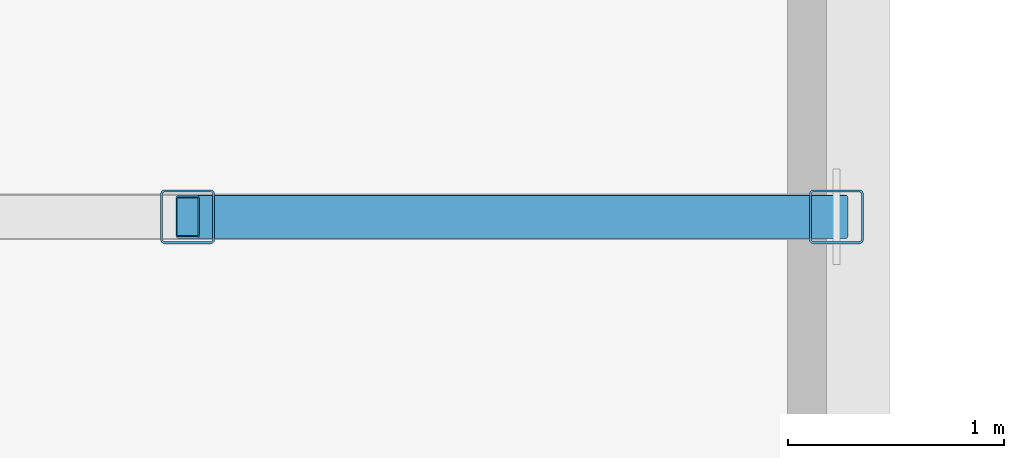
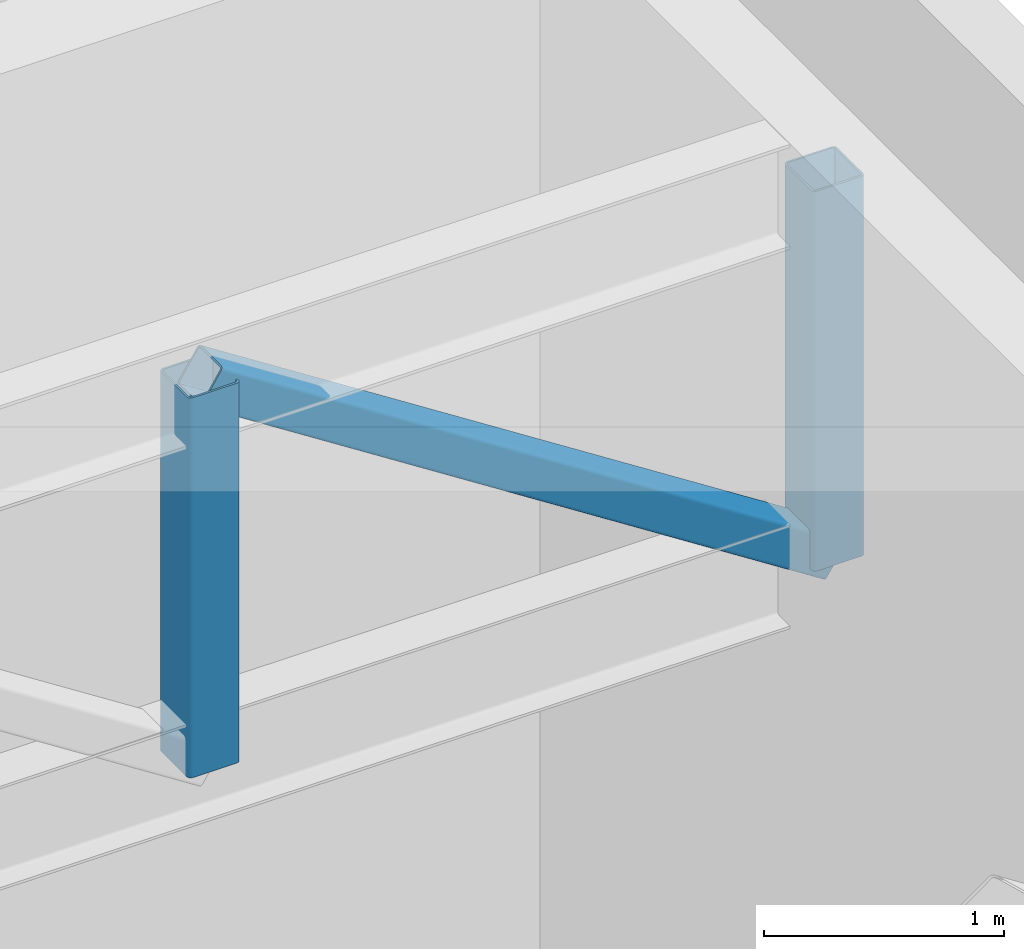
# One storey, part 15 of 25: 3 members.
"""IFC4 building model written with IfcOpenShell, lengths in metres."""

import ifcopenshell
import ifcopenshell.guid

model = None  # the IFC model being written
_history = None  # IfcOwnerHistory: only IFC2X3 demands one
_inside = {}  # id of a spatial element -> (the spatial element, [elements in it])
_under = {}  # id of a project, library or spatial element -> (it, [spatial elements below it])
_declared = {}  # id of a project -> (the project, [libraries it declares])
_typed = {}  # id of a type object -> (the type object, [elements of that type])
_made_of = {}  # id of a material, layer set ... -> (it, [elements and type objects made of it])


def new_model(schema):
    """Start an empty IFC model of exactly this schema.

    Asked for "IFC4X3", IfcOpenShell would pick the latest addendum, in which some entities
    have other attributes; the version numbers below select the first issue.
    IFC2X3 requires an IfcOwnerHistory on every rooted entity: one is made here for all.
    """
    global model, _history
    if schema == "IFC4X3":
        model = ifcopenshell.file(schema_version=(4, 3, 0, 0))
    else:
        model = ifcopenshell.file(schema=schema)
    _inside.clear()
    _under.clear()
    _declared.clear()
    _typed.clear()
    _made_of.clear()
    _history = None
    if model.schema == "IFC2X3":
        org = make("IfcOrganization", Name="unknown")
        user = make(
            "IfcPersonAndOrganization",
            ThePerson=make("IfcPerson", FamilyName="unknown"),
            TheOrganization=org,
        )
        app = make(
            "IfcApplication",
            ApplicationDeveloper=org,
            Version="unknown",
            ApplicationFullName="unknown",
            ApplicationIdentifier="unknown",
        )
        _history = make(
            "IfcOwnerHistory",
            OwningUser=user,
            OwningApplication=app,
            ChangeAction="ADDED",
            CreationDate=0,
        )
    return model


def make(cls, **values):
    """One entity of the class cls with the attributes given. An attribute that is None is left unset."""
    return model.create_entity(
        cls, **{name: value for name, value in values.items() if value is not None}
    )


def rooted(cls, **values):
    """An entity with a GlobalId (a new one), such as an element, a storey or a relation."""
    return make(cls, GlobalId=ifcopenshell.guid.new(), OwnerHistory=_history, **values)


def si_unit(unit_type, name, prefix=None):
    """IfcSIUnit, for example si_unit("LENGTHUNIT", "METRE", prefix="MILLI")."""
    return make("IfcSIUnit", UnitType=unit_type, Prefix=prefix, Name=name)


def assignment(units):
    """IfcUnitAssignment: the units of a project."""
    return None if units is None else make("IfcUnitAssignment", Units=units)


def point(xyz):
    """IfcCartesianPoint."""
    return None if xyz is None else make("IfcCartesianPoint", Coordinates=xyz)


def direction(xyz):
    """IfcDirection."""
    return None if xyz is None else make("IfcDirection", DirectionRatios=xyz)


def frame(location, z_axis=None, x_axis=None):
    """IfcAxis2Placement3D, a coordinate frame: its origin and axes. An axis left out is left unset."""
    return make(
        "IfcAxis2Placement3D",
        Location=point(location),
        Axis=direction(z_axis),
        RefDirection=direction(x_axis),
    )


def frame_2d(location, x_axis=None):
    """IfcAxis2Placement2D, a coordinate frame in the plane: its origin and x axis."""
    return make(
        "IfcAxis2Placement2D", Location=point(location), RefDirection=direction(x_axis)
    )


def origin():
    """The frame at (0, 0, 0) with its axes left unset."""
    return frame((0.0, 0.0, 0.0))


def origin_2d():
    """The frame at (0, 0) in the plane with its x axis left unset."""
    return frame_2d((0.0, 0.0))


def place(relative_to, where):
    """IfcLocalPlacement: puts the frame where relative to a parent placement (None: the world)."""
    return make(
        "IfcLocalPlacement", PlacementRelTo=relative_to, RelativePlacement=where
    )


def context(
    kind, dimensions, precision=None, world=None, true_north=None, identifier=None
):
    """IfcGeometricRepresentationContext, for example the 3D "Model" context."""
    return make(
        "IfcGeometricRepresentationContext",
        ContextIdentifier=identifier,
        ContextType=kind,
        CoordinateSpaceDimension=dimensions,
        Precision=precision,
        WorldCoordinateSystem=world,
        TrueNorth=true_north,
    )


def subcontext(parent, identifier, kind, view, scale=None):
    """IfcGeometricRepresentationSubContext, for example "Body" below "Model"."""
    return make(
        "IfcGeometricRepresentationSubContext",
        ContextIdentifier=identifier,
        ContextType=kind,
        ParentContext=parent,
        TargetScale=scale,
        TargetView=view,
    )


def project(units=None, contexts=None):
    """IfcProject with its units and contexts."""
    return rooted(
        "IfcProject",
        Name="project",
        RepresentationContexts=contexts,
        UnitsInContext=assignment(units),
    )


def spatial(cls, under=None, at=None, **own):
    """A site, building, storey or space (cls), placed at a placement, below another one or the project."""
    s = rooted(cls, ObjectPlacement=at, **own)
    if under is not None:
        _under.setdefault(under.id(), (under, []))[1].append(s)
    return s


def profile(cls, at=None, kind="AREA", **sizes):
    """A parametric profile (cls). Its sizes go by their IFC names, for example OverallWidth=200.0."""
    return make(cls, ProfileType=kind, Position=at, **sizes)


def hollow_rectangle(**sizes):
    """IfcRectangleHollowProfileDef."""
    return profile("IfcRectangleHollowProfileDef", **sizes)


def extrude(swept, where, along, depth):
    """IfcExtrudedAreaSolid: the profile swept, set in the frame where, extruded along a direction by depth."""
    return make(
        "IfcExtrudedAreaSolid",
        SweptArea=swept,
        Position=where,
        ExtrudedDirection=direction(along),
        Depth=depth,
    )


def shape(context_of_items, identifier, shape_type, items):
    """IfcShapeRepresentation: the items that make up one representation, for example the "Body"."""
    return make(
        "IfcShapeRepresentation",
        ContextOfItems=context_of_items,
        RepresentationIdentifier=identifier,
        RepresentationType=shape_type,
        Items=items,
    )


def material(Name=None, Category=None):
    """IfcMaterial."""
    return make("IfcMaterial", Name=Name, Category=Category)


def material_profile(
    of_material, cross_section, Name=None, Category=None, Priority=None
):
    """IfcMaterialProfile: a cross section and its material."""
    return make(
        "IfcMaterialProfile",
        Name=Name,
        Material=of_material,
        Profile=cross_section,
        Priority=Priority,
        Category=Category,
    )


def profile_set(profiles, Name=None, composite=None):
    """IfcMaterialProfileSet."""
    return make(
        "IfcMaterialProfileSet",
        Name=Name,
        MaterialProfiles=profiles,
        CompositeProfile=composite,
    )


def made_of(thing, what):
    """Note that an element or type object is made of a material, layer set ...; save() writes the relation."""
    if what is not None:
        _made_of.setdefault(what.id(), (what, []))[1].append(thing)
    return thing


def type_object(cls, material=None, **own):
    """A type object (cls), such as IfcWallType, which elements share."""
    return made_of(rooted(cls, **own), material)


def element(
    cls,
    number,
    at=None,
    inside=None,
    cuts=None,
    type_object=None,
    material=None,
    context=None,
    identifier="Body",
    shape_type=None,
    held_by="IfcProductDefinitionShape",
    body=None,
    shapes=None,
    **own,
):
    """One element of the class cls, such as IfcWall. Its Tag is "e" and its number.

    at: its placement. inside: the storey or other place that contains it. cuts: it is an
    opening in that element (IfcRelVoidsElement). A single representation is given by context,
    identifier, shape_type and body (its items); several are given by shapes. held_by: the class
    of the entity that holds the representations. save() writes the other relations.
    """
    e = rooted(cls, Tag="e%d" % number, ObjectPlacement=at, **own)
    if body is not None:
        shapes = [shape(context, identifier, shape_type, body)]
    if shapes is not None:
        e.Representation = make(held_by, Representations=shapes)
    if inside is not None:
        _inside.setdefault(inside.id(), (inside, []))[1].append(e)
    if cuts is not None:
        rooted(
            "IfcRelVoidsElement", RelatingBuildingElement=cuts, RelatedOpeningElement=e
        )
    if type_object is not None:
        _typed.setdefault(type_object.id(), (type_object, []))[1].append(e)
    return made_of(e, material)


def aggregate(whole, parts):
    """IfcRelAggregates: a whole, such as a stair, and the parts it consists of."""
    return rooted("IfcRelAggregates", RelatingObject=whole, RelatedObjects=parts)


def save(model, path):
    """Write the relations noted so far, then the file.

    IfcRelAggregates (storeys below a building ...), IfcRelContainedInSpatialStructure (elements
    in a storey), IfcRelDefinesByType, IfcRelAssociatesMaterial and IfcRelDeclares: one each for
    every whole, place, type object, material and project.
    """
    for whole, parts in _under.values():
        aggregate(whole, parts)
    for where, things in _inside.values():
        rooted(
            "IfcRelContainedInSpatialStructure",
            RelatedElements=things,
            RelatingStructure=where,
        )
    for kind, things in _typed.values():
        rooted("IfcRelDefinesByType", RelatedObjects=things, RelatingType=kind)
    for what, things in _made_of.values():
        rooted("IfcRelAssociatesMaterial", RelatedObjects=things, RelatingMaterial=what)
    for by, libraries in _declared.values():
        rooted("IfcRelDeclares", RelatingContext=by, RelatedDefinitions=libraries)
    model.write(path)


model = new_model("IFC4")

# Units and contexts
model_context = context("Model", 3, precision=1e-05, world=origin(), true_north=direction((0.0, 1.0)))
body_context = subcontext(model_context, "Body", "Model", "MODEL_VIEW")
ifc_project = project(units=[si_unit("LENGTHUNIT", "METRE"), si_unit("AREAUNIT", "SQUARE_METRE"), si_unit("VOLUMEUNIT", "CUBIC_METRE"), si_unit("PLANEANGLEUNIT", "RADIAN"), si_unit("MASSUNIT", "GRAM", prefix="KILO")], contexts=[model_context])

# Site, building, storey
site_placement = place(None, origin())
site = spatial("IfcSite", under=ifc_project, at=site_placement, CompositionType="ELEMENT")
building_placement = place(site_placement, origin())
building = spatial("IfcBuilding", under=site, at=building_placement, Name="Marnock Terrace Opera House", CompositionType="ELEMENT")
storey_placement = place(building_placement, frame((0.0, 0.0, 28.199951171875)))
storey = spatial("IfcBuildingStorey", under=building, at=storey_placement, Name="RF", CompositionType="ELEMENT", Elevation=28.199951171875)

# Members
ifc_material = material(Name="Cold-formed Steel Grade C350L0 (AS/NZS 1163)", Category="steel")
ifc_material_profile_1 = material_profile(ifc_material, hollow_rectangle(XDim=0.25, YDim=0.25, WallThickness=0.010009765625, InnerFilletRadius=0.010009765625, OuterFilletRadius=0.02001953125, at=origin_2d()))
ifc_profile_set_1 = profile_set([ifc_material_profile_1], Name="Cold-formed Steel Grade C350L0 (AS/NZS 1163)")
member_type_1 = type_object("IfcMemberType", Name="MEM-TRUSS-WEB1", PredefinedType="STRUT", material=ifc_profile_set_1)
for number, where, z_axis, x_axis, name in (
    (1, (88.0, 101.800048828125, 3.580078125), (0.0, 0.0, 1.0), (1.0, 0.0, 0.0), "Fly Tower Pratt truss 5 vertical 5"),
    (2, (91.0, 101.800048828125, 3.580078125), (0.0, 0.0, 1.0), (1.0, 0.0, 0.0), "Fly Tower Pratt truss 5 vertical 6"),
):
    element("IfcMember", number, at=place(storey_placement, frame(where, z_axis=z_axis, x_axis=x_axis)), inside=storey, type_object=member_type_1, Name=name, PredefinedType="STRUT", context=body_context, shape_type="SweptSolid", body=[
        extrude(hollow_rectangle(XDim=0.25, YDim=0.25, WallThickness=0.010009765625, InnerFilletRadius=0.010009765625, OuterFilletRadius=0.02001953125, at=origin_2d()), origin(), (0.0, 0.0, 1.0), 1.929931640625),
    ])
ifc_material_profile_2 = material_profile(ifc_material, hollow_rectangle(XDim=0.199951171875, YDim=0.199951171875, WallThickness=0.009033203125, InnerFilletRadius=0.009033203125, OuterFilletRadius=0.01806640625, at=origin_2d()))
ifc_profile_set_2 = profile_set([ifc_material_profile_2], Name="Cold-formed Steel Grade C350L0 (AS/NZS 1163)")
member_type_2 = type_object("IfcMemberType", Name="MEM-TRUSS-WEB2", PredefinedType="BRACE", material=ifc_profile_set_2)
member_placement = place(storey_placement, frame((91.0, 101.800048828125, 3.580078125), z_axis=(-0.841004981943, 0.0, 0.541027374859), x_axis=(0.0, -1.0, 0.0)))
element("IfcMember", 3, at=member_placement, inside=storey, type_object=member_type_2, Name="Fly Tower Pratt truss 5 diagonal 5", PredefinedType="BRACE", context=body_context, shape_type="SweptSolid", body=[
    extrude(hollow_rectangle(XDim=0.199951171875, YDim=0.199951171875, WallThickness=0.009033203125, InnerFilletRadius=0.009033203125, OuterFilletRadius=0.01806640625, at=origin_2d()), origin(), (0.0, 0.0, 1.0), 3.567138671875),
])

save(model, "model.ifc")
